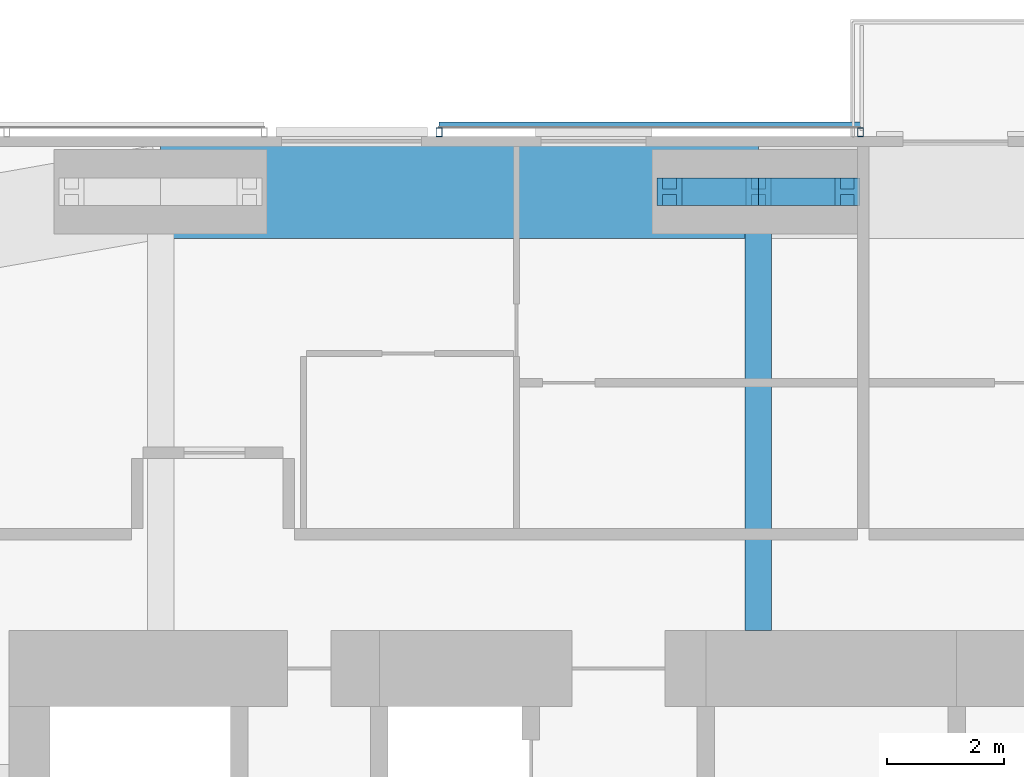
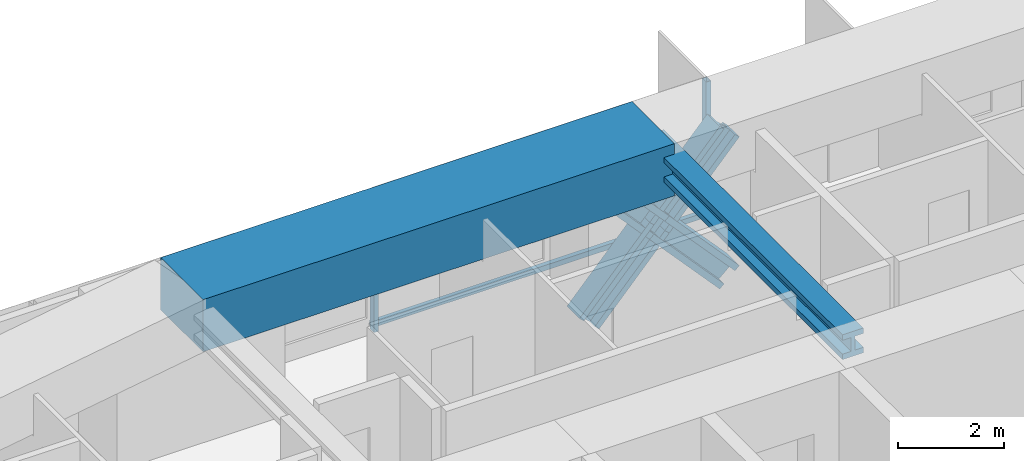
# One storey, part 11 of 23: 7 members, 2 beams, 1 element without a shape of its own.
"""IFC4 building model written with IfcOpenShell, lengths in metres."""

from ifc_helpers import new_model, si_unit, direction, frame, origin, origin_2d, place, context, subcontext, project, spatial, rectangle, hollow_rectangle, i_section, extrude, material, material_profile, profile_set, type_object, element, aggregate, save


model = new_model("IFC4")

# Units and contexts
model_context = context("Model", 3, precision=1e-05, world=origin(), true_north=direction((0.0, 1.0)))
body_context = subcontext(model_context, "Body", "Model", "MODEL_VIEW")
ifc_project = project(units=[si_unit("LENGTHUNIT", "METRE"), si_unit("AREAUNIT", "SQUARE_METRE"), si_unit("VOLUMEUNIT", "CUBIC_METRE"), si_unit("PLANEANGLEUNIT", "RADIAN"), si_unit("MASSUNIT", "GRAM", prefix="KILO")], contexts=[model_context])

# Site, building, storey
site_placement = place(None, origin())
site = spatial("IfcSite", under=ifc_project, at=site_placement, CompositionType="ELEMENT")
building_placement = place(site_placement, origin())
building = spatial("IfcBuilding", under=site, at=building_placement, Name="Jalousie Tower", CompositionType="ELEMENT")
storey_placement = place(building_placement, frame((0.0, 0.0, 194.550048828125)))
storey = spatial("IfcBuildingStorey", under=building, at=storey_placement, Name="L53", CompositionType="ELEMENT", Elevation=194.550048828125)

# Beam
ifc_material_1 = material(Name="Steel ASTM A992 Grade 50", Category="steel")
ifc_material_profile_1 = material_profile(ifc_material_1, i_section(OverallWidth=0.45458984375, OverallDepth=0.569091796875, WebThickness=0.077880859375, FlangeThickness=0.124755859375, at=origin_2d()), Name="W14X730")
ifc_profile_set_1 = profile_set([ifc_material_profile_1], Name="Steel ASTM A992 Grade 50")
beam_type_1 = type_object("IfcBeamType", Name="LEAN COLLECTOR W14X730", PredefinedType="BEAM", material=ifc_profile_set_1)
beam_1_placement = place(storey_placement, frame((32.5, 35.050048828125, 2.825439453125), z_axis=(0.0, -1.0, 0.0), x_axis=(1.0, 0.0, 0.0)))
element("IfcBeam", 1, at=beam_1_placement, inside=storey, type_object=beam_type_1, Name="Lean collector under L54", PredefinedType="BEAM", context=body_context, shape_type="SweptSolid", body=[
    extrude(i_section(OverallWidth=0.45458984375, OverallDepth=0.569091796875, WebThickness=0.077880859375, FlangeThickness=0.124755859375, at=origin_2d()), origin(), (0.0, 0.0, 1.0), 7.525146484375),
])

# Members
ifc_material_2 = material(Name="Steel ASTM A992 Grade 50", Category="steel")
ifc_material_profile_2 = material_profile(ifc_material_2, i_section(OverallWidth=0.472412109375, OverallDepth=0.5791015625, WebThickness=0.094970703125, FlangeThickness=0.1298828125, at=origin_2d()), Name="W14X808")
ifc_profile_set_2 = profile_set([ifc_material_profile_2], Name="Steel ASTM A992 Grade 50")
member_type_1 = type_object("IfcMemberType", Name="PERIMETER BRACE W14X808", PredefinedType="BRACE", material=ifc_profile_set_2)
for number, where, z_axis, x_axis, name in (
    (2, (30.97509765625, 35.050048828125, -0.60009765625), (0.673187629365, 0.0, 0.739471713908), (0.0, 1.0, 0.0), "Perimeter brace 10 L53 part 1"),
    (3, (32.5, 35.050048828125, 1.074951171875), (0.673187629365, 0.0, 0.739471713908), (0.0, 1.0, 0.0), "Perimeter brace 10 L53 part 2"),
    (4, (34.02490234375, 35.050048828125, -0.60009765625), (-0.673187629365, 0.0, 0.739471713908), (0.0, -1.0, 0.0), "Perimeter brace 10 L53 part 3"),
    (5, (32.5, 35.050048828125, 1.074951171875), (-0.673187629365, 0.0, 0.739471713908), (0.0, -1.0, 0.0), "Perimeter brace 10 L53 part 4"),
):
    element("IfcMember", number, at=place(storey_placement, frame(where, z_axis=z_axis, x_axis=x_axis)), inside=storey, type_object=member_type_1, Name=name, PredefinedType="BRACE", context=body_context, shape_type="SweptSolid", body=[
        extrude(i_section(OverallWidth=0.472412109375, OverallDepth=0.5791015625, WebThickness=0.094970703125, FlangeThickness=0.1298828125, at=origin_2d()), origin(), (0.0, 0.0, 1.0), 2.26513671875),
    ])

# Beam
ifc_material_3 = material(Name="Concrete f'c 40 MPa", Category="concrete")
ifc_material_profile_3 = material_profile(ifc_material_3, rectangle(XDim=1.60009765625, YDim=1.199951171875, at=origin_2d()), Name="RC 1600x1200")
ifc_profile_set_3 = profile_set([ifc_material_profile_3], Name="Concrete f'c 40 MPa")
beam_type_2 = type_object("IfcBeamType", Name="RC BEAM 1600x1200", PredefinedType="BEAM", material=ifc_profile_set_3)
beam_2_placement = place(storey_placement, frame((32.5, 35.050048828125, 2.75), z_axis=(-1.0, 0.0, 0.0), x_axis=(0.0, -1.0, 0.0)))
element("IfcBeam", 6, at=beam_2_placement, inside=storey, type_object=beam_type_2, Name="Edge band beam 10-11 under L54", PredefinedType="BEAM", context=body_context, shape_type="SweptSolid", body=[
    extrude(rectangle(XDim=1.60009765625, YDim=1.199951171875, at=origin_2d()), origin(), (0.0, 0.0, 1.0), 10.25),
])

# Curtain wall, members
ifc_material_4 = material(Name="Perforated aluminium sheet", Category="aluminium")
curtain_wall_type = type_object("IfcCurtainWallType", Name="SOLAR SCREEN SS-1", PredefinedType="USERDEFINED", material=ifc_material_4)
curtain_wall_placement = place(storey_placement, origin())
curtain_wall = element("IfcCurtainWall", 7, at=curtain_wall_placement, inside=storey, type_object=curtain_wall_type, Name="Solar screen L53", ObjectType="SOLAR SCREEN SS-1", PredefinedType="USERDEFINED")
ifc_material_5 = material(Name="Steel ASTM A500 Grade C", Category="steel")
ifc_material_profile_4 = material_profile(ifc_material_5, hollow_rectangle(XDim=0.1015625, YDim=0.15234375, WallThickness=0.00634765625, at=origin_2d()), Name="HSS6X4X1/4")
ifc_profile_set_4 = profile_set([ifc_material_profile_4], Name="Steel ASTM A500 Grade C")
member_type_2 = type_object("IfcMemberType", Name="SOLAR SCREEN SS-1 MULLION", PredefinedType="MULLION", material=ifc_profile_set_4)
member_1_placement = place(storey_placement, frame((34.25, 36.0712890625, -0.1201171875), z_axis=(0.0, 0.0, 1.0), x_axis=(-1.0, 0.0, 0.0)))
member_1 = element("IfcMember", 8, at=member_1_placement, type_object=member_type_2, Name="SS1 post 1", PredefinedType="MULLION", context=body_context, shape_type="SweptSolid", body=[
    extrude(hollow_rectangle(XDim=0.1015625, YDim=0.15234375, WallThickness=0.00634765625, at=origin_2d()), origin(), (0.0, 0.0, 1.0), 3.22998046875),
])
member_2_placement = place(storey_placement, frame((27.02490234375, 36.0712890625, -0.1201171875), z_axis=(0.0, 0.0, 1.0), x_axis=(-1.0, 0.0, 0.0)))
member_2 = element("IfcMember", 9, at=member_2_placement, type_object=member_type_2, Name="SS1 post 2", PredefinedType="MULLION", context=body_context, shape_type="SweptSolid", body=[
    extrude(hollow_rectangle(XDim=0.1015625, YDim=0.15234375, WallThickness=0.00634765625, at=origin_2d()), origin(), (0.0, 0.0, 1.0), 3.22998046875),
])
ifc_material_6 = material(Name="Extruded aluminium screen rail", Category="aluminium")
ifc_material_profile_5 = material_profile(ifc_material_6, rectangle(XDim=0.1015625, YDim=0.1201171875, at=origin_2d()), Name="RAIL 102x120")
ifc_profile_set_5 = profile_set([ifc_material_profile_5], Name="Extruded aluminium screen rail")
member_type_3 = type_object("IfcMemberType", Name="SOLAR SCREEN SS-1 TRANSOM", PredefinedType="USERDEFINED", material=ifc_profile_set_5)
member_3_placement = place(storey_placement, frame((34.25, 36.1982421875, -0.06005859375), z_axis=(-1.0, 0.0, 0.0), x_axis=(0.0, -1.0, 0.0)))
member_3 = element("IfcMember", 10, at=member_3_placement, type_object=member_type_3, Name="SS1 rail", ObjectType="TRANSOM", PredefinedType="USERDEFINED", context=body_context, shape_type="SweptSolid", body=[
    extrude(rectangle(XDim=0.1015625, YDim=0.1201171875, at=origin_2d()), origin(), (0.0, 0.0, 1.0), 7.22509765625),
])
aggregate(curtain_wall, [member_1, member_2, member_3])

save(model, "model.ifc")
